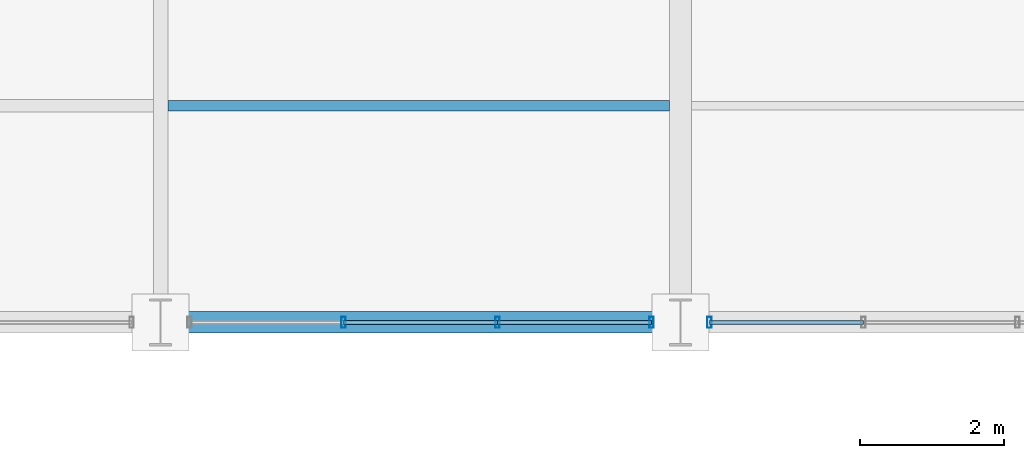
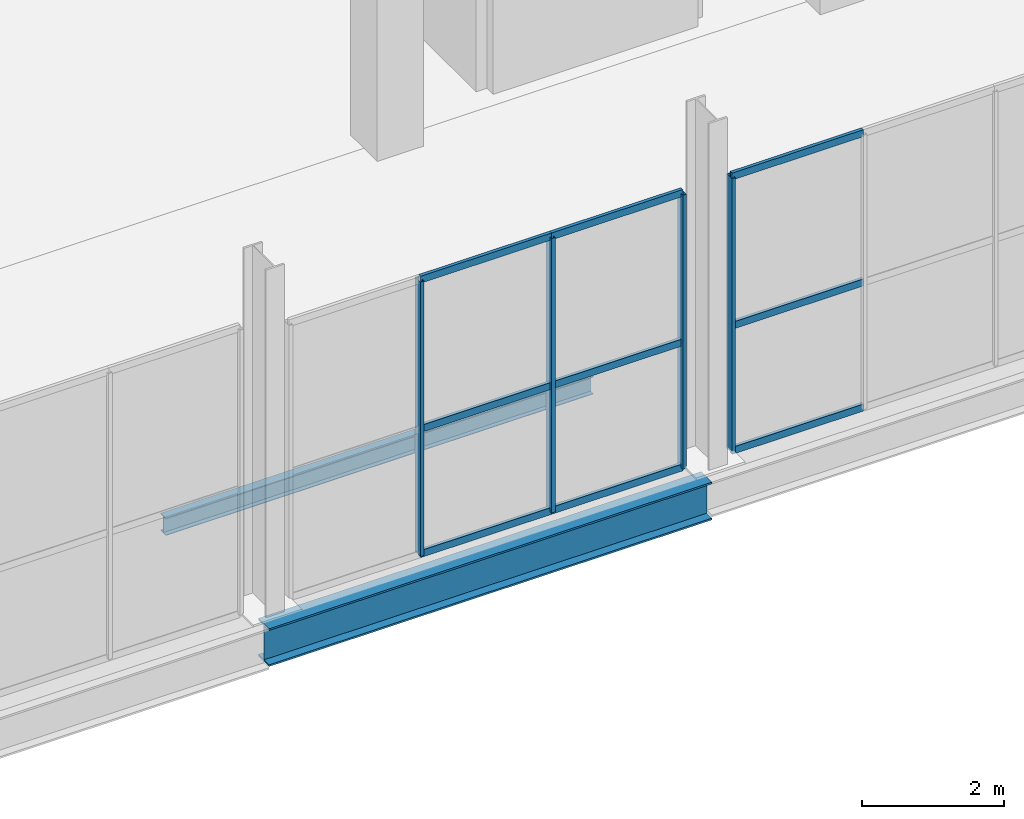
# One storey, part 94 of 144: 13 members, 2 beams, 2 elements without a shape of their own.
"""IFC4 building model written with IfcOpenShell, lengths in metres."""

from ifc_helpers import new_model, si_unit, direction, frame, origin, origin_2d, place, context, subcontext, project, spatial, hollow_rectangle, i_section, extrude, material, layer, layer_set, material_profile, profile_set, type_object, element, aggregate, save


model = new_model("IFC4")

# Units and contexts
model_context = context("Model", 3, precision=1e-05, world=origin(), true_north=direction((0.0, 1.0)))
body_context = subcontext(model_context, "Body", "Model", "MODEL_VIEW")
ifc_project = project(units=[si_unit("LENGTHUNIT", "METRE"), si_unit("AREAUNIT", "SQUARE_METRE"), si_unit("VOLUMEUNIT", "CUBIC_METRE"), si_unit("PLANEANGLEUNIT", "RADIAN"), si_unit("MASSUNIT", "GRAM", prefix="KILO")], contexts=[model_context])

# Site, building, storey
site_placement = place(None, origin())
site = spatial("IfcSite", under=ifc_project, at=site_placement, CompositionType="ELEMENT")
building_placement = place(site_placement, origin())
building = spatial("IfcBuilding", under=site, at=building_placement, Name="Sundgate Opera House", CompositionType="ELEMENT")
storey_placement = place(building_placement, origin())
storey = spatial("IfcBuildingStorey", under=building, at=storey_placement, Name="L00", CompositionType="ELEMENT", Elevation=0.0)

# Beams
ifc_material_1 = material(Name="Steel S355J2", Category="steel")
ifc_material_profile_1 = material_profile(ifc_material_1, i_section(OverallWidth=0.300048828125, OverallDepth=0.64990234375, WebThickness=0.01611328125, FlangeThickness=0.031005859375, at=origin_2d()), Name="HEB 650")
ifc_profile_set_1 = profile_set([ifc_material_profile_1], Name="Steel S355J2")
beam_type_1 = type_object("IfcBeamType", Name="BM-GR-HEB650", PredefinedType="BEAM", material=ifc_profile_set_1)
beam_1_placement = place(storey_placement, frame((124.199951171875, 60.0, -0.64501953125), z_axis=(1.0, 0.0, 0.0), x_axis=(0.0, 1.0, 0.0)))
element("IfcBeam", 1, at=beam_1_placement, inside=storey, type_object=beam_type_1, Name="L00 Primary E-W Girder B0455", PredefinedType="BEAM", context=body_context, shape_type="SweptSolid", body=[
    extrude(i_section(OverallWidth=0.300048828125, OverallDepth=0.64990234375, WebThickness=0.01611328125, FlangeThickness=0.031005859375, at=origin_2d()), origin(), (0.0, 0.0, 1.0), 7.199951171875),
])
ifc_material_2 = material(Name="Steel S355J2", Category="steel")
ifc_material_profile_2 = material_profile(ifc_material_2, i_section(OverallWidth=0.14990234375, OverallDepth=0.300048828125, WebThickness=0.007080078125, FlangeThickness=0.0107421875, at=origin_2d()), Name="IPE 300")
ifc_profile_set_2 = profile_set([ifc_material_profile_2], Name="Steel S355J2")
beam_type_2 = type_object("IfcBeamType", Name="BM-JS-IPE300", PredefinedType="JOIST", material=ifc_profile_set_2)
beam_2_placement = place(storey_placement, frame((124.300048828125, 63.0, -0.469970703125), z_axis=(1.0, 0.0, 0.0), x_axis=(0.0, 1.0, 0.0)))
element("IfcBeam", 2, at=beam_2_placement, inside=storey, type_object=beam_type_2, Name="L00 Secondary Floor Joist B0830", PredefinedType="JOIST", context=body_context, shape_type="SweptSolid", body=[
    extrude(i_section(OverallWidth=0.14990234375, OverallDepth=0.300048828125, WebThickness=0.007080078125, FlangeThickness=0.0107421875, at=origin_2d()), origin(), (0.0, 0.0, 1.0), 6.949951171875),
])

# Curtain wall, members
ifc_material_3 = material(Name="Anodized aluminium and low-iron glass", Category="aluminium")
ifc_layer = layer(ifc_material_3, 0.159912109375)
ifc_layer_set = layer_set([ifc_layer], Name="Anodized aluminium and low-iron glass")
curtain_wall_type = type_object("IfcCurtainWallType", Name="CW-STUDIO-DARK", PredefinedType="NOTDEFINED", material=ifc_layer_set)
curtain_wall_1_placement = place(storey_placement, origin())
curtain_wall_1 = element("IfcCurtainWall", 3, at=curtain_wall_1_placement, inside=storey, type_object=curtain_wall_type, Name="L00 Curtain Wall CW037", PredefinedType="NOTDEFINED")
ifc_material_4 = material(Name="Anodized aluminium EN AW-6063", Category="aluminium")
ifc_material_profile_3 = material_profile(ifc_material_4, hollow_rectangle(XDim=0.06005859375, YDim=0.14990234375, WallThickness=0.00390625, at=origin_2d()), Name="CWM 150x60x4")
ifc_profile_set_3 = profile_set([ifc_material_profile_3], Name="Anodized aluminium EN AW-6063")
member_type_1 = type_object("IfcMemberType", Name="CWM-ALU-150x60", PredefinedType="MULLION", material=ifc_profile_set_3)
member_1_placement = place(storey_placement, frame((131.0, 60.0, 0.0), z_axis=(0.0, 0.0, 1.0), x_axis=(1.0, 0.0, 0.0)))
member_1 = element("IfcMember", 4, at=member_1_placement, type_object=member_type_1, Name="CW037 Mullion 1", PredefinedType="MULLION", context=body_context, shape_type="SweptSolid", body=[
    extrude(hollow_rectangle(XDim=0.06005859375, YDim=0.14990234375, WallThickness=0.00390625, at=origin_2d()), origin(), (0.0, 0.0, 1.0), 4.715087890625),
])
member_2_placement = place(storey_placement, frame((128.86669921875, 60.0, 0.0), z_axis=(0.0, 0.0, 1.0), x_axis=(1.0, 0.0, 0.0)))
member_2 = element("IfcMember", 5, at=member_2_placement, type_object=member_type_1, Name="CW037 Mullion 2", PredefinedType="MULLION", context=body_context, shape_type="SweptSolid", body=[
    extrude(hollow_rectangle(XDim=0.06005859375, YDim=0.14990234375, WallThickness=0.00390625, at=origin_2d()), origin(), (0.0, 0.0, 1.0), 4.715087890625),
])
member_3_placement = place(storey_placement, frame((126.7333984375, 60.0, 0.0), z_axis=(0.0, 0.0, 1.0), x_axis=(1.0, 0.0, 0.0)))
member_3 = element("IfcMember", 6, at=member_3_placement, type_object=member_type_1, Name="CW037 Mullion 3", PredefinedType="MULLION", context=body_context, shape_type="SweptSolid", body=[
    extrude(hollow_rectangle(XDim=0.06005859375, YDim=0.14990234375, WallThickness=0.00390625, at=origin_2d()), origin(), (0.0, 0.0, 1.0), 4.715087890625),
])

# Curtain wall, member
curtain_wall_2_placement = place(storey_placement, origin())
curtain_wall_2 = element("IfcCurtainWall", 7, at=curtain_wall_2_placement, inside=storey, type_object=curtain_wall_type, Name="L00 Curtain Wall CW039", PredefinedType="NOTDEFINED")
member_4_placement = place(storey_placement, frame((131.800048828125, 60.0, 0.0), z_axis=(0.0, 0.0, 1.0), x_axis=(1.0, 0.0, 0.0)))
member_4 = element("IfcMember", 8, at=member_4_placement, type_object=member_type_1, Name="CW039 Mullion 4", PredefinedType="MULLION", context=body_context, shape_type="SweptSolid", body=[
    extrude(hollow_rectangle(XDim=0.06005859375, YDim=0.14990234375, WallThickness=0.00390625, at=origin_2d()), origin(), (0.0, 0.0, 1.0), 4.715087890625),
])

# Member
ifc_material_5 = material(Name="Anodized aluminium EN AW-6063", Category="aluminium")
ifc_material_profile_4 = material_profile(ifc_material_5, hollow_rectangle(XDim=0.054931640625, YDim=0.1201171875, WallThickness=0.00390625, at=origin_2d()), Name="CWT 120x55x4")
ifc_profile_set_4 = profile_set([ifc_material_profile_4], Name="Anodized aluminium EN AW-6063")
member_type_2 = type_object("IfcMemberType", Name="CWT-ALU-120x55", PredefinedType="USERDEFINED", material=ifc_profile_set_4)
member_5_placement = place(storey_placement, frame((131.0, 60.0, 0.0), z_axis=(-1.0, 0.0, 0.0), x_axis=(0.0, -1.0, 0.0)))
member_5 = element("IfcMember", 9, at=member_5_placement, type_object=member_type_2, Name="CW037 Transom 1", ObjectType="TRANSOM", PredefinedType="USERDEFINED", context=body_context, shape_type="SweptSolid", body=[
    extrude(hollow_rectangle(XDim=0.054931640625, YDim=0.1201171875, WallThickness=0.00390625, at=origin_2d()), origin(), (0.0, 0.0, 1.0), 2.13330078125),
])

member_6_placement = place(storey_placement, frame((131.0, 60.0, 2.14990234375), z_axis=(-1.0, 0.0, 0.0), x_axis=(0.0, -1.0, 0.0)))
member_6 = element("IfcMember", 10, at=member_6_placement, type_object=member_type_2, Name="CW037 Transom 2", ObjectType="TRANSOM", PredefinedType="USERDEFINED", context=body_context, shape_type="SweptSolid", body=[
    extrude(hollow_rectangle(XDim=0.054931640625, YDim=0.1201171875, WallThickness=0.00390625, at=origin_2d()), origin(), (0.0, 0.0, 1.0), 2.13330078125),
])

member_7_placement = place(storey_placement, frame((131.0, 60.0, 4.715087890625), z_axis=(-1.0, 0.0, 0.0), x_axis=(0.0, -1.0, 0.0)))
member_7 = element("IfcMember", 11, at=member_7_placement, type_object=member_type_2, Name="CW037 Transom 3", ObjectType="TRANSOM", PredefinedType="USERDEFINED", context=body_context, shape_type="SweptSolid", body=[
    extrude(hollow_rectangle(XDim=0.054931640625, YDim=0.1201171875, WallThickness=0.00390625, at=origin_2d()), origin(), (0.0, 0.0, 1.0), 2.13330078125),
])

member_8_placement = place(storey_placement, frame((128.86669921875, 60.0, 0.0), z_axis=(-1.0, 0.0, 0.0), x_axis=(0.0, -1.0, 0.0)))
member_8 = element("IfcMember", 12, at=member_8_placement, type_object=member_type_2, Name="CW037 Transom 4", ObjectType="TRANSOM", PredefinedType="USERDEFINED", context=body_context, shape_type="SweptSolid", body=[
    extrude(hollow_rectangle(XDim=0.054931640625, YDim=0.1201171875, WallThickness=0.00390625, at=origin_2d()), origin(), (0.0, 0.0, 1.0), 2.13330078125),
])

member_9_placement = place(storey_placement, frame((128.86669921875, 60.0, 2.14990234375), z_axis=(-1.0, 0.0, 0.0), x_axis=(0.0, -1.0, 0.0)))
member_9 = element("IfcMember", 13, at=member_9_placement, type_object=member_type_2, Name="CW037 Transom 5", ObjectType="TRANSOM", PredefinedType="USERDEFINED", context=body_context, shape_type="SweptSolid", body=[
    extrude(hollow_rectangle(XDim=0.054931640625, YDim=0.1201171875, WallThickness=0.00390625, at=origin_2d()), origin(), (0.0, 0.0, 1.0), 2.13330078125),
])

member_10_placement = place(storey_placement, frame((128.86669921875, 60.0, 4.715087890625), z_axis=(-1.0, 0.0, 0.0), x_axis=(0.0, -1.0, 0.0)))
member_10 = element("IfcMember", 14, at=member_10_placement, type_object=member_type_2, Name="CW037 Transom 6", ObjectType="TRANSOM", PredefinedType="USERDEFINED", context=body_context, shape_type="SweptSolid", body=[
    extrude(hollow_rectangle(XDim=0.054931640625, YDim=0.1201171875, WallThickness=0.00390625, at=origin_2d()), origin(), (0.0, 0.0, 1.0), 2.13330078125),
])

aggregate(curtain_wall_1, [member_1, member_2, member_3, member_5, member_6, member_7, member_8, member_9, member_10])

member_11_placement = place(storey_placement, frame((133.933349609375, 60.0, 0.0), z_axis=(-1.0, 0.0, 0.0), x_axis=(0.0, -1.0, 0.0)))
member_11 = element("IfcMember", 15, at=member_11_placement, type_object=member_type_2, Name="CW039 Transom 7", ObjectType="TRANSOM", PredefinedType="USERDEFINED", context=body_context, shape_type="SweptSolid", body=[
    extrude(hollow_rectangle(XDim=0.054931640625, YDim=0.1201171875, WallThickness=0.00390625, at=origin_2d()), origin(), (0.0, 0.0, 1.0), 2.13330078125),
])

member_12_placement = place(storey_placement, frame((133.933349609375, 60.0, 2.14990234375), z_axis=(-1.0, 0.0, 0.0), x_axis=(0.0, -1.0, 0.0)))
member_12 = element("IfcMember", 16, at=member_12_placement, type_object=member_type_2, Name="CW039 Transom 8", ObjectType="TRANSOM", PredefinedType="USERDEFINED", context=body_context, shape_type="SweptSolid", body=[
    extrude(hollow_rectangle(XDim=0.054931640625, YDim=0.1201171875, WallThickness=0.00390625, at=origin_2d()), origin(), (0.0, 0.0, 1.0), 2.13330078125),
])

member_13_placement = place(storey_placement, frame((133.933349609375, 60.0, 4.715087890625), z_axis=(-1.0, 0.0, 0.0), x_axis=(0.0, -1.0, 0.0)))
member_13 = element("IfcMember", 17, at=member_13_placement, type_object=member_type_2, Name="CW039 Transom 9", ObjectType="TRANSOM", PredefinedType="USERDEFINED", context=body_context, shape_type="SweptSolid", body=[
    extrude(hollow_rectangle(XDim=0.054931640625, YDim=0.1201171875, WallThickness=0.00390625, at=origin_2d()), origin(), (0.0, 0.0, 1.0), 2.13330078125),
])

aggregate(curtain_wall_2, [member_4, member_11, member_12, member_13])

save(model, "model.ifc")
